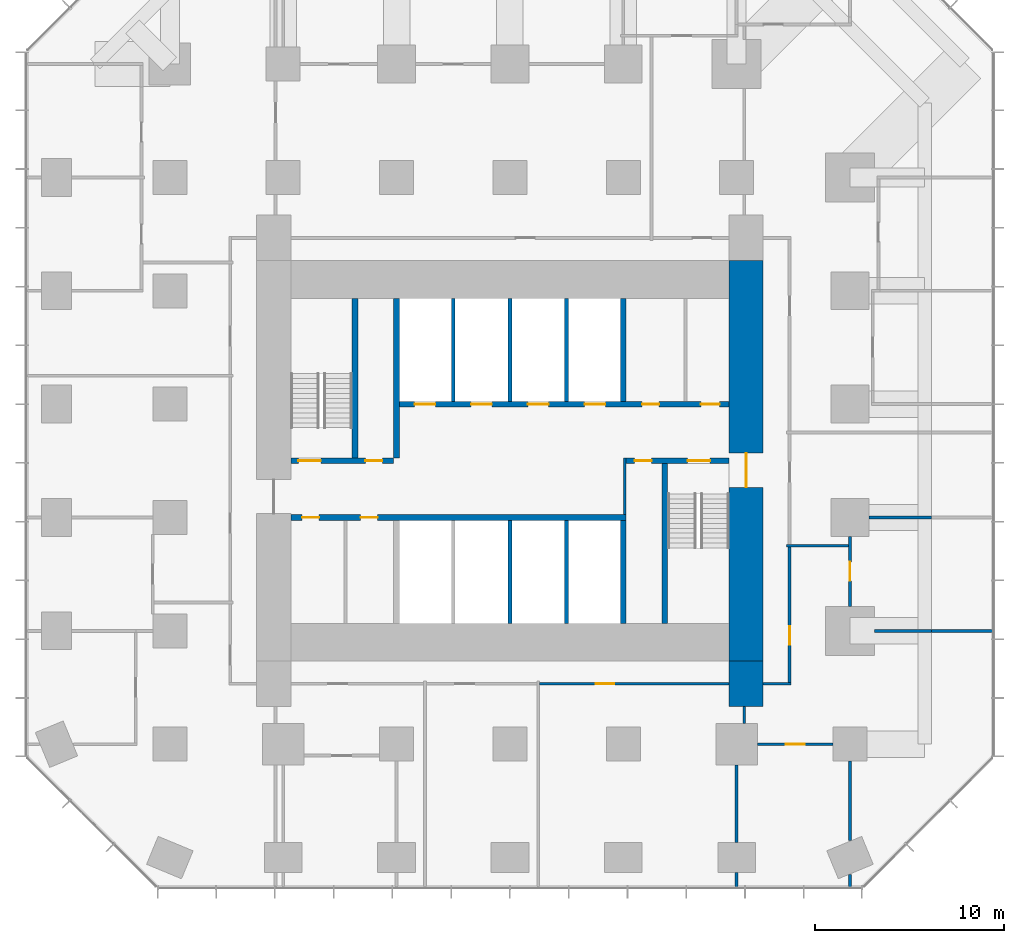
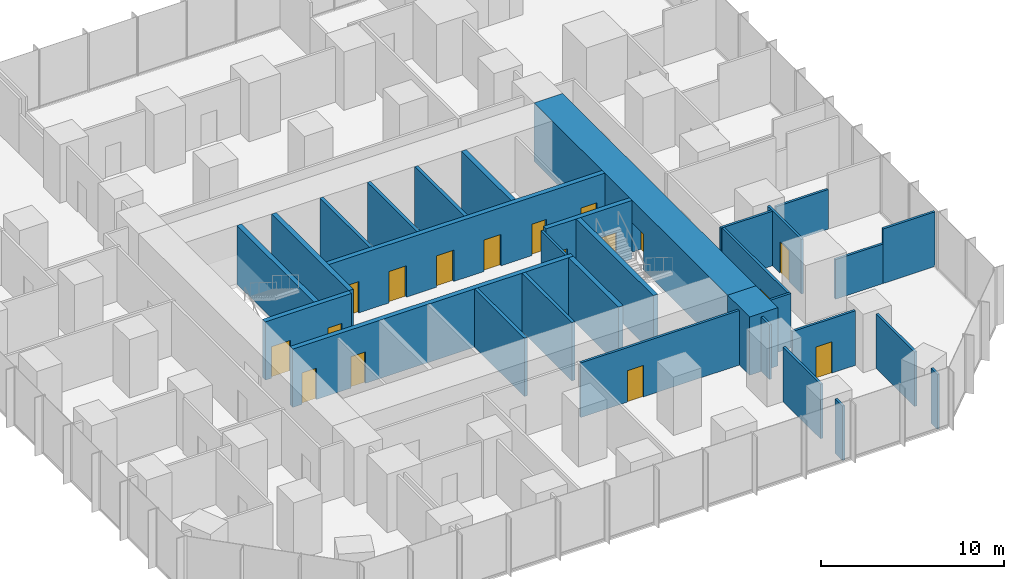
# One storey, part 9 of 12: 31 walls, 17 doors, 17 openings.
"""IFC4 building model written with IfcOpenShell, lengths in metres."""

from ifc_helpers import new_model, si_unit, direction, frame, frame_2d, origin, place, context, subcontext, project, spatial, rectangle, extrude, material, layer, layer_set, type_object, element, fill, save


model = new_model("IFC4")

# Units and contexts
model_context = context("Model", 3, precision=1e-05, world=origin(), true_north=direction((0.0, 1.0)))
body_context = subcontext(model_context, "Body", "Model", "MODEL_VIEW")
ifc_project = project(units=[si_unit("LENGTHUNIT", "METRE"), si_unit("AREAUNIT", "SQUARE_METRE"), si_unit("VOLUMEUNIT", "CUBIC_METRE"), si_unit("PLANEANGLEUNIT", "RADIAN"), si_unit("MASSUNIT", "GRAM", prefix="KILO")], contexts=[model_context])

# Site, building, storey
site_placement = place(None, origin())
site = spatial("IfcSite", under=ifc_project, at=site_placement, CompositionType="ELEMENT")
building_placement = place(site_placement, origin())
building = spatial("IfcBuilding", under=site, at=building_placement, Name="Highveld Stack Headquarters", CompositionType="ELEMENT")
storey_placement = place(building_placement, frame((0.0, 0.0, 72.800048828125)))
storey = spatial("IfcBuildingStorey", under=building, at=storey_placement, Name="L17", CompositionType="ELEMENT", Elevation=72.800048828125)

# Wall, opening, door
ifc_material_1 = material(Name="Concrete C60/75", Category="concrete")
ifc_layer_1 = layer(ifc_material_1, 1.800048828125)
ifc_layer_set_1 = layer_set([ifc_layer_1], Name="Concrete C60/75")
wall_type_1 = type_object("IfcWallType", Name="CORE WALL 1800 C60/75", PredefinedType="SHEAR", material=ifc_layer_set_1)
wall_1_placement = place(storey_placement, frame((18.5, -7.60009765625, 0.0), z_axis=(0.0, 0.0, 1.0), x_axis=(0.0, 1.0, 0.0)))
wall_1 = element("IfcWall", 1, at=wall_1_placement, inside=storey, type_object=wall_type_1, Name="Core wall E L17", PredefinedType="SHEAR", context=body_context, shape_type="SweptSolid", body=[
    extrude(rectangle(XDim=21.2001953125, YDim=1.800048828125, at=frame_2d((10.60009765625, 0.0))), origin(), (0.0, 0.0, 1.0), 3.89990234375),
])
opening_1_placement = place(wall_1_placement, frame((9.199951171875, 0.0, 0.0)))
opening_1 = element("IfcOpeningElement", 2, at=opening_1_placement, cuts=wall_1, Name="Opening L17-02", PredefinedType="OPENING", context=body_context, shape_type="SweptSolid", body=[
    extrude(rectangle(XDim=1.800048828125, YDim=2.39990234375, at=frame_2d((0.89990234375, 1.199951171875))), frame((0.0, 0.909912109375, 0.0), z_axis=(0.0, -1.0, 0.0), x_axis=(1.0, 0.0, 0.0)), (0.0, 0.0, 1.0), 1.820068359375),
])
ifc_material_2 = material(Name="Steel fire door", Category="steel")
door_type_1 = type_object("IfcDoorType", Name="LOBBY FIRE DOOR D4 1800x2400", OperationType="DOUBLE_DOOR_SINGLE_SWING", PredefinedType="DOOR", material=ifc_material_2)
door_1_placement = place(opening_1_placement, origin())
door_1 = element("IfcDoor", 3, at=door_1_placement, inside=storey, type_object=door_type_1, Name="Core east door L17", OperationType="DOUBLE_DOOR_SINGLE_SWING", OverallHeight=2.39990234375, OverallWidth=1.800048828125, PredefinedType="DOOR", context=body_context, shape_type="SweptSolid", body=[
    extrude(rectangle(XDim=1.800048828125, YDim=2.39990234375, at=frame_2d((0.89990234375, 1.199951171875))), frame((0.0, 0.02490234375, 0.0), z_axis=(0.0, -1.0, 0.0), x_axis=(1.0, 0.0, 0.0)), (0.0, 0.0, 1.0), 0.050048828125),
])
fill(opening_1, door_1)

# Wall, openings, doors
ifc_material_3 = material(Name="Concrete C60/75", Category="concrete")
ifc_layer_2 = layer(ifc_material_3, 0.300048828125)
ifc_layer_set_2 = layer_set([ifc_layer_2], Name="Concrete C60/75")
wall_type_2 = type_object("IfcWallType", Name="CORE WALL 300 C60/75", PredefinedType="SHEAR", material=ifc_layer_set_2)
wall_2_placement = place(storey_placement, frame((-5.60009765625, 0.0, 0.0), z_axis=(0.0, 0.0, 1.0), x_axis=(1.0, 0.0, 0.0)))
wall_2 = element("IfcWall", 4, at=wall_2_placement, inside=storey, type_object=wall_type_2, Name="Core wall I-Y0 L17", PredefinedType="SHEAR", context=body_context, shape_type="SweptSolid", body=[
    extrude(rectangle(XDim=17.75, YDim=0.300048828125, at=frame_2d((8.875, 0.0))), origin(), (0.0, 0.0, 1.0), 3.89990234375),
])
opening_2_placement = place(wall_2_placement, frame((0.60009765625, 0.0, 0.0)))
opening_2 = element("IfcOpeningElement", 5, at=opening_2_placement, cuts=wall_2, Name="Opening L17-07", PredefinedType="OPENING", context=body_context, shape_type="SweptSolid", body=[
    extrude(rectangle(XDim=0.89990234375, YDim=2.10009765625, at=frame_2d((0.449951171875, 1.050048828125))), frame((0.0, 0.159912109375, 0.0), z_axis=(0.0, -1.0, 0.0), x_axis=(1.0, 0.0, 0.0)), (0.0, 0.0, 1.0), 0.320068359375),
])
opening_3_placement = place(wall_2_placement, frame((3.699951171875, 0.0, 0.0)))
opening_3 = element("IfcOpeningElement", 6, at=opening_3_placement, cuts=wall_2, Name="Opening L17-08", PredefinedType="OPENING", context=body_context, shape_type="SweptSolid", body=[
    extrude(rectangle(XDim=0.89990234375, YDim=2.10009765625, at=frame_2d((0.449951171875, 1.050048828125))), frame((0.0, 0.159912109375, 0.0), z_axis=(0.0, -1.0, 0.0), x_axis=(1.0, 0.0, 0.0)), (0.0, 0.0, 1.0), 0.320068359375),
])
ifc_material_4 = material(Name="Timber door, painted", Category="wood")
door_type_2 = type_object("IfcDoorType", Name="WC DOOR D1 900x2100", OperationType="SINGLE_SWING_LEFT", PredefinedType="DOOR", material=ifc_material_4)
door_2_placement = place(opening_2_placement, origin())
door_2 = element("IfcDoor", 7, at=door_2_placement, inside=storey, type_object=door_type_2, Name="Female WC door L17", OperationType="SINGLE_SWING_LEFT", OverallHeight=2.10009765625, OverallWidth=0.89990234375, PredefinedType="DOOR", context=body_context, shape_type="SweptSolid", body=[
    extrude(rectangle(XDim=0.89990234375, YDim=2.10009765625, at=frame_2d((0.449951171875, 1.050048828125))), frame((0.0, 0.02490234375, 0.0), z_axis=(0.0, -1.0, 0.0), x_axis=(1.0, 0.0, 0.0)), (0.0, 0.0, 1.0), 0.050048828125),
])
fill(opening_2, door_2)
door_3_placement = place(opening_3_placement, origin())
door_3 = element("IfcDoor", 8, at=door_3_placement, inside=storey, type_object=door_type_2, Name="Shower and changing room door L17", OperationType="SINGLE_SWING_LEFT", OverallHeight=2.10009765625, OverallWidth=0.89990234375, PredefinedType="DOOR", context=body_context, shape_type="SweptSolid", body=[
    extrude(rectangle(XDim=0.89990234375, YDim=2.10009765625, at=frame_2d((0.449951171875, 1.050048828125))), frame((0.0, 0.02490234375, 0.0), z_axis=(0.0, -1.0, 0.0), x_axis=(1.0, 0.0, 0.0)), (0.0, 0.0, 1.0), 0.050048828125),
])
fill(opening_3, door_3)

wall_3_placement = place(storey_placement, frame((-5.60009765625, 3.0, 0.0), z_axis=(0.0, 0.0, 1.0), x_axis=(1.0, 0.0, 0.0)))
wall_3 = element("IfcWall", 9, at=wall_3_placement, inside=storey, type_object=wall_type_2, Name="Core wall I-Y3W L17", PredefinedType="SHEAR", context=body_context, shape_type="SweptSolid", body=[
    extrude(rectangle(XDim=5.4501953125, YDim=0.300048828125, at=frame_2d((2.72509765625, 0.0))), origin(), (0.0, 0.0, 1.0), 3.89990234375),
])
opening_4_placement = place(wall_3_placement, frame((0.39990234375, 0.0, 0.0)))
opening_4 = element("IfcOpeningElement", 10, at=opening_4_placement, cuts=wall_3, Name="Opening L17-03", PredefinedType="OPENING", context=body_context, shape_type="SweptSolid", body=[
    extrude(rectangle(XDim=1.199951171875, YDim=2.10009765625, at=frame_2d((0.60009765625, 1.050048828125))), frame((0.0, 0.159912109375, 0.0), z_axis=(0.0, -1.0, 0.0), x_axis=(1.0, 0.0, 0.0)), (0.0, 0.0, 1.0), 0.320068359375),
])
opening_5_placement = place(wall_3_placement, frame((3.949951171875, 0.0, 0.0)))
opening_5 = element("IfcOpeningElement", 11, at=opening_5_placement, cuts=wall_3, Name="Opening L17-04", PredefinedType="OPENING", context=body_context, shape_type="SweptSolid", body=[
    extrude(rectangle(XDim=0.89990234375, YDim=2.10009765625, at=frame_2d((0.449951171875, 1.050048828125))), frame((0.0, 0.159912109375, 0.0), z_axis=(0.0, -1.0, 0.0), x_axis=(1.0, 0.0, 0.0)), (0.0, 0.0, 1.0), 0.320068359375),
])
ifc_material_5 = material(Name="Steel fire door", Category="steel")
door_type_3 = type_object("IfcDoorType", Name="RISER ACCESS DOOR D5 900x2100", OperationType="SINGLE_SWING_LEFT", PredefinedType="DOOR", material=ifc_material_5)
door_4_placement = place(opening_5_placement, origin())
door_4 = element("IfcDoor", 12, at=door_4_placement, inside=storey, type_object=door_type_3, Name="Riser R1 door L17", OperationType="SINGLE_SWING_RIGHT", OverallHeight=2.10009765625, OverallWidth=0.89990234375, PredefinedType="DOOR", context=body_context, shape_type="SweptSolid", body=[
    extrude(rectangle(XDim=0.89990234375, YDim=2.10009765625, at=frame_2d((0.449951171875, 1.050048828125))), frame((0.0, 0.02490234375, 0.0), z_axis=(0.0, -1.0, 0.0), x_axis=(1.0, 0.0, 0.0)), (0.0, 0.0, 1.0), 0.050048828125),
])
fill(opening_5, door_4)
ifc_material_6 = material(Name="Steel fire door", Category="steel")
door_type_4 = type_object("IfcDoorType", Name="STAIR FIRE DOOR D3 1200x2100", OperationType="SINGLE_SWING_LEFT", PredefinedType="DOOR", material=ifc_material_6)
door_5_placement = place(opening_4_placement, origin())
door_5 = element("IfcDoor", 13, at=door_5_placement, inside=storey, type_object=door_type_4, Name="Stair S1 door L17", OperationType="SINGLE_SWING_LEFT", OverallHeight=2.10009765625, OverallWidth=1.199951171875, PredefinedType="DOOR", context=body_context, shape_type="SweptSolid", body=[
    extrude(rectangle(XDim=1.199951171875, YDim=2.10009765625, at=frame_2d((0.60009765625, 1.050048828125))), frame((0.0, 0.02490234375, 0.0), z_axis=(0.0, -1.0, 0.0), x_axis=(1.0, 0.0, 0.0)), (0.0, 0.0, 1.0), 0.050048828125),
])
fill(opening_4, door_5)

wall_4_placement = place(storey_placement, frame((12.14990234375, 3.0, 0.0), z_axis=(0.0, 0.0, 1.0), x_axis=(1.0, 0.0, 0.0)))
wall_4 = element("IfcWall", 14, at=wall_4_placement, inside=storey, type_object=wall_type_2, Name="Core wall I-Y3E L17", PredefinedType="SHEAR", context=body_context, shape_type="SweptSolid", body=[
    extrude(rectangle(XDim=5.4501953125, YDim=0.300048828125, at=frame_2d((2.72509765625, 0.0))), origin(), (0.0, 0.0, 1.0), 3.89990234375),
])
opening_6_placement = place(wall_4_placement, frame((3.25, 0.0, 0.0)))
opening_6 = element("IfcOpeningElement", 15, at=opening_6_placement, cuts=wall_4, Name="Opening L17-05", PredefinedType="OPENING", context=body_context, shape_type="SweptSolid", body=[
    extrude(rectangle(XDim=1.199951171875, YDim=2.10009765625, at=frame_2d((0.60009765625, 1.050048828125))), frame((0.0, 0.159912109375, 0.0), z_axis=(0.0, -1.0, 0.0), x_axis=(1.0, 0.0, 0.0)), (0.0, 0.0, 1.0), 0.320068359375),
])
opening_7_placement = place(wall_4_placement, frame((0.449951171875, 0.0, 0.0)))
opening_7 = element("IfcOpeningElement", 16, at=opening_7_placement, cuts=wall_4, Name="Opening L17-06", PredefinedType="OPENING", context=body_context, shape_type="SweptSolid", body=[
    extrude(rectangle(XDim=0.89990234375, YDim=2.10009765625, at=frame_2d((0.449951171875, 1.050048828125))), frame((0.0, 0.159912109375, 0.0), z_axis=(0.0, -1.0, 0.0), x_axis=(1.0, 0.0, 0.0)), (0.0, 0.0, 1.0), 0.320068359375),
])
door_6_placement = place(opening_7_placement, origin())
door_6 = element("IfcDoor", 17, at=door_6_placement, inside=storey, type_object=door_type_3, Name="Riser R2 door L17", OperationType="SINGLE_SWING_LEFT", OverallHeight=2.10009765625, OverallWidth=0.89990234375, PredefinedType="DOOR", context=body_context, shape_type="SweptSolid", body=[
    extrude(rectangle(XDim=0.89990234375, YDim=2.10009765625, at=frame_2d((0.449951171875, 1.050048828125))), frame((0.0, 0.02490234375, 0.0), z_axis=(0.0, -1.0, 0.0), x_axis=(1.0, 0.0, 0.0)), (0.0, 0.0, 1.0), 0.050048828125),
])
fill(opening_7, door_6)
door_7_placement = place(opening_6_placement, origin())
door_7 = element("IfcDoor", 18, at=door_7_placement, inside=storey, type_object=door_type_4, Name="Stair S2 door L17", OperationType="SINGLE_SWING_RIGHT", OverallHeight=2.10009765625, OverallWidth=1.199951171875, PredefinedType="DOOR", context=body_context, shape_type="SweptSolid", body=[
    extrude(rectangle(XDim=1.199951171875, YDim=2.10009765625, at=frame_2d((0.60009765625, 1.050048828125))), frame((0.0, 0.02490234375, 0.0), z_axis=(0.0, -1.0, 0.0), x_axis=(1.0, 0.0, 0.0)), (0.0, 0.0, 1.0), 0.050048828125),
])
fill(opening_6, door_7)

wall_5_placement = place(storey_placement, frame((-0.14990234375, 6.0, 0.0), z_axis=(0.0, 0.0, 1.0), x_axis=(1.0, 0.0, 0.0)))
wall_5 = element("IfcWall", 19, at=wall_5_placement, inside=storey, type_object=wall_type_2, Name="Core wall I-Y6 L17", PredefinedType="SHEAR", context=body_context, shape_type="SweptSolid", body=[
    extrude(rectangle(XDim=17.75, YDim=0.300048828125, at=frame_2d((8.875, 0.0))), origin(), (0.0, 0.0, 1.0), 3.89990234375),
])
opening_8_placement = place(wall_5_placement, frame((13.14990234375, 0.0, 0.0)))
opening_8 = element("IfcOpeningElement", 20, at=opening_8_placement, cuts=wall_5, Name="Opening L17-09", PredefinedType="OPENING", context=body_context, shape_type="SweptSolid", body=[
    extrude(rectangle(XDim=0.89990234375, YDim=2.10009765625, at=frame_2d((0.449951171875, 1.050048828125))), frame((0.0, 0.159912109375, 0.0), z_axis=(0.0, -1.0, 0.0), x_axis=(1.0, 0.0, 0.0)), (0.0, 0.0, 1.0), 0.320068359375),
])
opening_9_placement = place(wall_5_placement, frame((16.25, 0.0, 0.0)))
opening_9 = element("IfcOpeningElement", 21, at=opening_9_placement, cuts=wall_5, Name="Opening L17-10", PredefinedType="OPENING", context=body_context, shape_type="SweptSolid", body=[
    extrude(rectangle(XDim=1.0, YDim=2.10009765625, at=frame_2d((0.5, 1.050048828125))), frame((0.0, 0.159912109375, 0.0), z_axis=(0.0, -1.0, 0.0), x_axis=(1.0, 0.0, 0.0)), (0.0, 0.0, 1.0), 0.320068359375),
])
opening_10_placement = place(wall_5_placement, frame((1.10009765625, 0.0, 0.0)))
opening_10 = element("IfcOpeningElement", 22, at=opening_10_placement, cuts=wall_5, Name="Opening LD", PredefinedType="OPENING", context=body_context, shape_type="SweptSolid", body=[
    extrude(rectangle(XDim=1.10009765625, YDim=2.10009765625, at=frame_2d((0.550048828125, 1.050048828125))), frame((0.0, 0.159912109375, 0.0), z_axis=(0.0, -1.0, 0.0), x_axis=(1.0, 0.0, 0.0)), (0.0, 0.0, 1.0), 0.320068359375),
])
opening_11_placement = place(wall_5_placement, frame((4.10009765625, 0.0, 0.0)))
opening_11 = element("IfcOpeningElement", 23, at=opening_11_placement, cuts=wall_5, Name="Opening LD", PredefinedType="OPENING", context=body_context, shape_type="SweptSolid", body=[
    extrude(rectangle(XDim=1.10009765625, YDim=2.10009765625, at=frame_2d((0.550048828125, 1.050048828125))), frame((0.0, 0.159912109375, 0.0), z_axis=(0.0, -1.0, 0.0), x_axis=(1.0, 0.0, 0.0)), (0.0, 0.0, 1.0), 0.320068359375),
])
opening_12_placement = place(wall_5_placement, frame((7.10009765625, 0.0, 0.0)))
opening_12 = element("IfcOpeningElement", 24, at=opening_12_placement, cuts=wall_5, Name="Opening LD", PredefinedType="OPENING", context=body_context, shape_type="SweptSolid", body=[
    extrude(rectangle(XDim=1.10009765625, YDim=2.10009765625, at=frame_2d((0.550048828125, 1.050048828125))), frame((0.0, 0.159912109375, 0.0), z_axis=(0.0, -1.0, 0.0), x_axis=(1.0, 0.0, 0.0)), (0.0, 0.0, 1.0), 0.320068359375),
])
opening_13_placement = place(wall_5_placement, frame((10.10009765625, 0.0, 0.0)))
opening_13 = element("IfcOpeningElement", 25, at=opening_13_placement, cuts=wall_5, Name="Opening LD", PredefinedType="OPENING", context=body_context, shape_type="SweptSolid", body=[
    extrude(rectangle(XDim=1.10009765625, YDim=2.10009765625, at=frame_2d((0.550048828125, 1.050048828125))), frame((0.0, 0.159912109375, 0.0), z_axis=(0.0, -1.0, 0.0), x_axis=(1.0, 0.0, 0.0)), (0.0, 0.0, 1.0), 0.320068359375),
])
ifc_material_7 = material(Name="Timber door, painted", Category="wood")
door_type_5 = type_object("IfcDoorType", Name="ACCESSIBLE WC DOOR D2 1000x2100", OperationType="SINGLE_SWING_RIGHT", PredefinedType="DOOR", material=ifc_material_7)
door_8_placement = place(opening_9_placement, origin())
door_8 = element("IfcDoor", 26, at=door_8_placement, inside=storey, type_object=door_type_5, Name="Accessible WC door L17", OperationType="SINGLE_SWING_RIGHT", OverallHeight=2.10009765625, OverallWidth=1.0, PredefinedType="DOOR", context=body_context, shape_type="SweptSolid", body=[
    extrude(rectangle(XDim=1.0, YDim=2.10009765625, at=frame_2d((0.5, 1.050048828125))), frame((0.0, 0.02490234375, 0.0), z_axis=(0.0, -1.0, 0.0), x_axis=(1.0, 0.0, 0.0)), (0.0, 0.0, 1.0), 0.050048828125),
])
fill(opening_9, door_8)
ifc_material_8 = material(Name="Stainless steel lift landing door", Category="steel")
door_type_6 = type_object("IfcDoorType", Name="LIFT LANDING DOOR LD 1100x2100", OperationType="DOUBLE_DOOR_SLIDING", PredefinedType="USERDEFINED", material=ifc_material_8)
door_9_placement = place(opening_10_placement, origin())
door_9 = element("IfcDoor", 27, at=door_9_placement, inside=storey, type_object=door_type_6, Name="Lift landing door FF1 L17", ObjectType="LIFT LANDING DOOR", OperationType="DOUBLE_DOOR_SLIDING", OverallHeight=2.10009765625, OverallWidth=1.10009765625, PredefinedType="USERDEFINED", context=body_context, shape_type="SweptSolid", body=[
    extrude(rectangle(XDim=1.10009765625, YDim=2.10009765625, at=frame_2d((0.550048828125, 1.050048828125))), frame((0.0, 0.02490234375, 0.0), z_axis=(0.0, -1.0, 0.0), x_axis=(1.0, 0.0, 0.0)), (0.0, 0.0, 1.0), 0.050048828125),
])
fill(opening_10, door_9)
door_10_placement = place(opening_11_placement, origin())
door_10 = element("IfcDoor", 28, at=door_10_placement, inside=storey, type_object=door_type_6, Name="Lift landing door FF2 L17", ObjectType="LIFT LANDING DOOR", OperationType="DOUBLE_DOOR_SLIDING", OverallHeight=2.10009765625, OverallWidth=1.10009765625, PredefinedType="USERDEFINED", context=body_context, shape_type="SweptSolid", body=[
    extrude(rectangle(XDim=1.10009765625, YDim=2.10009765625, at=frame_2d((0.550048828125, 1.050048828125))), frame((0.0, 0.02490234375, 0.0), z_axis=(0.0, -1.0, 0.0), x_axis=(1.0, 0.0, 0.0)), (0.0, 0.0, 1.0), 0.050048828125),
])
fill(opening_11, door_10)
door_11_placement = place(opening_12_placement, origin())
door_11 = element("IfcDoor", 29, at=door_11_placement, inside=storey, type_object=door_type_6, Name="Lift landing door A1 L17", ObjectType="LIFT LANDING DOOR", OperationType="DOUBLE_DOOR_SLIDING", OverallHeight=2.10009765625, OverallWidth=1.10009765625, PredefinedType="USERDEFINED", context=body_context, shape_type="SweptSolid", body=[
    extrude(rectangle(XDim=1.10009765625, YDim=2.10009765625, at=frame_2d((0.550048828125, 1.050048828125))), frame((0.0, 0.02490234375, 0.0), z_axis=(0.0, -1.0, 0.0), x_axis=(1.0, 0.0, 0.0)), (0.0, 0.0, 1.0), 0.050048828125),
])
fill(opening_12, door_11)
door_12_placement = place(opening_13_placement, origin())
door_12 = element("IfcDoor", 30, at=door_12_placement, inside=storey, type_object=door_type_6, Name="Lift landing door A2 L17", ObjectType="LIFT LANDING DOOR", OperationType="DOUBLE_DOOR_SLIDING", OverallHeight=2.10009765625, OverallWidth=1.10009765625, PredefinedType="USERDEFINED", context=body_context, shape_type="SweptSolid", body=[
    extrude(rectangle(XDim=1.10009765625, YDim=2.10009765625, at=frame_2d((0.550048828125, 1.050048828125))), frame((0.0, 0.02490234375, 0.0), z_axis=(0.0, -1.0, 0.0), x_axis=(1.0, 0.0, 0.0)), (0.0, 0.0, 1.0), 0.050048828125),
])
fill(opening_13, door_12)
door_13_placement = place(opening_8_placement, origin())
door_13 = element("IfcDoor", 31, at=door_13_placement, inside=storey, type_object=door_type_2, Name="Male WC door L17", OperationType="SINGLE_SWING_RIGHT", OverallHeight=2.10009765625, OverallWidth=0.89990234375, PredefinedType="DOOR", context=body_context, shape_type="SweptSolid", body=[
    extrude(rectangle(XDim=0.89990234375, YDim=2.10009765625, at=frame_2d((0.449951171875, 1.050048828125))), frame((0.0, 0.02490234375, 0.0), z_axis=(0.0, -1.0, 0.0), x_axis=(1.0, 0.0, 0.0)), (0.0, 0.0, 1.0), 0.050048828125),
])
fill(opening_8, door_13)

# Walls
wall_6_placement = place(storey_placement, frame((0.0, 3.14990234375, 0.0), z_axis=(0.0, 0.0, 1.0), x_axis=(0.0, 1.0, 0.0)))
element("IfcWall", 32, at=wall_6_placement, inside=storey, type_object=wall_type_2, Name="Core wall I-X0N L17", PredefinedType="SHEAR", context=body_context, shape_type="SweptSolid", body=[
    extrude(rectangle(XDim=8.4501953125, YDim=0.300048828125, at=frame_2d((4.22509765625, 0.0))), origin(), (0.0, 0.0, 1.0), 3.89990234375),
])
for number, where, z_axis, x_axis, name in (
    (33, (12.0, -5.60009765625, 0.0), (0.0, 0.0, 1.0), (0.0, 1.0, 0.0), "Core wall I-X12S L17"),
    (34, (12.0, 6.14990234375, 0.0), (0.0, 0.0, 1.0), (0.0, 1.0, 0.0), "Core wall I-X12N L17"),
):
    element("IfcWall", number, at=place(storey_placement, frame(where, z_axis=z_axis, x_axis=x_axis)), inside=storey, type_object=wall_type_2, Name=name, PredefinedType="SHEAR", context=body_context, shape_type="SweptSolid", body=[
        extrude(rectangle(XDim=5.4501953125, YDim=0.300048828125, at=frame_2d((2.72509765625, 0.0))), origin(), (0.0, 0.0, 1.0), 3.89990234375),
    ])
for number, where, z_axis, x_axis, name in (
    (35, (-2.199951171875, 3.14990234375, 0.0), (0.0, 0.0, 1.0), (0.0, 1.0, 0.0), "Core wall I-RW L17"),
    (36, (14.199951171875, -5.60009765625, 0.0), (0.0, 0.0, 1.0), (0.0, 1.0, 0.0), "Core wall I-RE L17"),
):
    element("IfcWall", number, at=place(storey_placement, frame(where, z_axis=z_axis, x_axis=x_axis)), inside=storey, type_object=wall_type_2, Name=name, PredefinedType="SHEAR", context=body_context, shape_type="SweptSolid", body=[
        extrude(rectangle(XDim=8.4501953125, YDim=0.300048828125, at=frame_2d((4.22509765625, 0.0))), origin(), (0.0, 0.0, 1.0), 3.89990234375),
    ])
ifc_material_9 = material(Name="Concrete C60/75", Category="concrete")
ifc_layer_3 = layer(ifc_material_9, 1.800048828125)
ifc_layer_set_3 = layer_set([ifc_layer_3], Name="Concrete C60/75")
wall_type_3 = type_object("IfcWallType", Name="CORE WING WALL 1800 C60/75", PredefinedType="SHEAR", material=ifc_layer_set_3)
wall_7_placement = place(storey_placement, frame((18.5, -10.0, 0.0), z_axis=(0.0, 0.0, 1.0), x_axis=(0.0, 1.0, 0.0)))
element("IfcWall", 37, at=wall_7_placement, inside=storey, type_object=wall_type_3, Name="Core wing wall ES L17", PredefinedType="SHEAR", context=body_context, shape_type="SweptSolid", body=[
    extrude(rectangle(XDim=2.39990234375, YDim=1.800048828125, at=frame_2d((1.199951171875, 0.0))), origin(), (0.0, 0.0, 1.0), 3.89990234375),
])
ifc_material_10 = material(Name="Concrete blockwork, plastered", Category="masonry")
ifc_layer_4 = layer(ifc_material_10, 0.14990234375)
ifc_layer_set_4 = layer_set([ifc_layer_4], Name="Concrete blockwork, plastered")
wall_type_4 = type_object("IfcWallType", Name="FIRE PARTITION 150 BLOCKWORK", PredefinedType="PARTITIONING", material=ifc_layer_set_4)
wall_8_placement = place(storey_placement, frame((12.074951171875, 0.14990234375, 0.0), z_axis=(0.0, 0.0, 1.0), x_axis=(0.0, 1.0, 0.0)))
element("IfcWall", 38, at=wall_8_placement, inside=storey, type_object=wall_type_4, Name="Riser R2 enclosure L17", PredefinedType="PARTITIONING", context=body_context, shape_type="SweptSolid", body=[
    extrude(rectangle(XDim=3.0, YDim=0.14990234375, at=frame_2d((1.5, 0.0))), origin(), (0.0, 0.0, 1.0), 3.64990234375),
])

# Wall, opening, door
ifc_material_11 = material(Name="Laminated glass in aluminium frame", Category="aluminium")
ifc_layer_5 = layer(ifc_material_11, 0.14990234375)
ifc_layer_set_5 = layer_set([ifc_layer_5], Name="Laminated glass in aluminium frame")
wall_type_5 = type_object("IfcWallType", Name="GLAZED PARTITION 150", PredefinedType="PARTITIONING", material=ifc_layer_set_5)
wall_9_placement = place(storey_placement, frame((19.10009765625, -12.0, 0.0), z_axis=(0.0, 0.0, 1.0), x_axis=(1.0, 0.0, 0.0)))
wall_9 = element("IfcWall", 39, at=wall_9_placement, inside=storey, type_object=wall_type_5, Name="Glazed partition Meeting room L17", PredefinedType="PARTITIONING", context=body_context, shape_type="SweptSolid", body=[
    extrude(rectangle(XDim=4.0, YDim=0.14990234375, at=frame_2d((2.0, 0.0))), origin(), (0.0, 0.0, 1.0), 3.64990234375),
])
opening_14_placement = place(wall_9_placement, frame((1.5, 0.0, 0.0)))
opening_14 = element("IfcOpeningElement", 40, at=opening_14_placement, cuts=wall_9, Name="Opening L17-12", PredefinedType="OPENING", context=body_context, shape_type="SweptSolid", body=[
    extrude(rectangle(XDim=1.0, YDim=2.10009765625, at=frame_2d((0.5, 1.050048828125))), frame((0.0, 0.0849609375, 0.0), z_axis=(0.0, -1.0, 0.0), x_axis=(1.0, 0.0, 0.0)), (0.0, 0.0, 1.0), 0.169921875),
])
ifc_material_12 = material(Name="Timber door, oiled ash", Category="wood")
door_type_7 = type_object("IfcDoorType", Name="ROOM DOOR D6 1000x2100", OperationType="SINGLE_SWING_LEFT", PredefinedType="DOOR", material=ifc_material_12)
door_14_placement = place(opening_14_placement, origin())
door_14 = element("IfcDoor", 41, at=door_14_placement, inside=storey, type_object=door_type_7, Name="Meeting room door 1 L17", OperationType="SINGLE_SWING_RIGHT", OverallHeight=2.10009765625, OverallWidth=1.0, PredefinedType="DOOR", context=body_context, shape_type="SweptSolid", body=[
    extrude(rectangle(XDim=1.0, YDim=2.10009765625, at=frame_2d((0.5, 1.050048828125))), frame((0.0, 0.02490234375, 0.0), z_axis=(0.0, -1.0, 0.0), x_axis=(1.0, 0.0, 0.0)), (0.0, 0.0, 1.0), 0.050048828125),
])
fill(opening_14, door_14)

wall_10_placement = place(storey_placement, frame((24.0, -4.699951171875, 0.0), z_axis=(0.0, 0.0, 1.0), x_axis=(0.0, 1.0, 0.0)))
wall_10 = element("IfcWall", 42, at=wall_10_placement, inside=storey, type_object=wall_type_5, Name="Glazed partition Meeting room L17", PredefinedType="PARTITIONING", context=body_context, shape_type="SweptSolid", body=[
    extrude(rectangle(XDim=3.699951171875, YDim=0.14990234375, at=frame_2d((1.85009765625, 0.0))), origin(), (0.0, 0.0, 1.0), 3.64990234375),
])
opening_15_placement = place(wall_10_placement, frame((1.35009765625, 0.0, 0.0)))
opening_15 = element("IfcOpeningElement", 43, at=opening_15_placement, cuts=wall_10, Name="Opening L17-17", PredefinedType="OPENING", context=body_context, shape_type="SweptSolid", body=[
    extrude(rectangle(XDim=1.0, YDim=2.10009765625, at=frame_2d((0.5, 1.050048828125))), frame((0.0, 0.0849609375, 0.0), z_axis=(0.0, -1.0, 0.0), x_axis=(1.0, 0.0, 0.0)), (0.0, 0.0, 1.0), 0.169921875),
])
door_15_placement = place(opening_15_placement, origin())
door_15 = element("IfcDoor", 44, at=door_15_placement, inside=storey, type_object=door_type_7, Name="Meeting room door 1 L17", OperationType="SINGLE_SWING_RIGHT", OverallHeight=2.10009765625, OverallWidth=1.0, PredefinedType="DOOR", context=body_context, shape_type="SweptSolid", body=[
    extrude(rectangle(XDim=1.0, YDim=2.10009765625, at=frame_2d((0.5, 1.050048828125))), frame((0.0, 0.02490234375, 0.0), z_axis=(0.0, -1.0, 0.0), x_axis=(1.0, 0.0, 0.0)), (0.0, 0.0, 1.0), 0.050048828125),
])
fill(opening_15, door_15)

# Walls
ifc_material_13 = material(Name="Concrete blockwork, fair-faced", Category="masonry")
ifc_layer_6 = layer(ifc_material_13, 0.199951171875)
ifc_layer_set_6 = layer_set([ifc_layer_6], Name="Concrete blockwork, fair-faced")
wall_type_6 = type_object("IfcWallType", Name="LIFT SHAFT ENCLOSURE WALL 200 BLOCKWORK", PredefinedType="SOLIDWALL", material=ifc_layer_set_6)
for number, where, z_axis, x_axis, name in (
    (45, (3.0, 6.14990234375, 0.0), (0.0, 0.0, 1.0), (0.0, 1.0, 0.0), "Lift shaft wall L17"),
    (46, (6.0, 6.14990234375, 0.0), (0.0, 0.0, 1.0), (0.0, 1.0, 0.0), "Lift shaft wall L17"),
    (47, (9.0, 6.14990234375, 0.0), (0.0, 0.0, 1.0), (0.0, 1.0, 0.0), "Lift shaft wall L17"),
    (48, (6.0, -5.60009765625, 0.0), (0.0, 0.0, 1.0), (0.0, 1.0, 0.0), "Lift shaft wall L17"),
    (49, (9.0, -5.60009765625, 0.0), (0.0, 0.0, 1.0), (0.0, 1.0, 0.0), "Lift shaft wall L17"),
):
    element("IfcWall", number, at=place(storey_placement, frame(where, z_axis=z_axis, x_axis=x_axis)), inside=storey, type_object=wall_type_6, Name=name, PredefinedType="SOLIDWALL", context=body_context, shape_type="SweptSolid", body=[
        extrude(rectangle(XDim=5.4501953125, YDim=0.199951171875, at=frame_2d((2.72509765625, 0.0))), origin(), (0.0, 0.0, 1.0), 3.89990234375),
    ])
ifc_material_14 = material(Name="Gypsum plasterboard on steel studs", Category="steel")
ifc_layer_7 = layer(ifc_material_14, 0.14990234375)
ifc_layer_set_7 = layer_set([ifc_layer_7], Name="Gypsum plasterboard on steel studs")
wall_type_7 = type_object("IfcWallType", Name="PARTITION 150 PLASTERBOARD", PredefinedType="PARTITIONING", material=ifc_layer_set_7)
wall_11_placement = place(storey_placement, frame((25.300048828125, -6.0, 0.0), z_axis=(0.0, 0.0, 1.0), x_axis=(1.0, 0.0, 0.0)))
element("IfcWall", 50, at=wall_11_placement, inside=storey, type_object=wall_type_7, Name="Partition Meeting room L17", PredefinedType="PARTITIONING", context=body_context, shape_type="SweptSolid", body=[
    extrude(rectangle(XDim=3.010009765625, YDim=0.14990234375, at=frame_2d((1.5048828125, 0.0))), origin(), (0.0, 0.0, 1.0), 2.64990234375),
])
wall_12_placement = place(storey_placement, frame((28.31005859375, -6.0, 0.0), z_axis=(0.0, 0.0, 1.0), x_axis=(1.0, 0.0, 0.0)))
element("IfcWall", 51, at=wall_12_placement, inside=storey, type_object=wall_type_7, Name="Partition Meeting room L17", PredefinedType="PARTITIONING", context=body_context, shape_type="SweptSolid", body=[
    extrude(rectangle(XDim=3.2900390625, YDim=0.14990234375, at=frame_2d((1.64501953125, 0.0))), origin(), (0.0, 0.0, 1.0), 3.64990234375),
])
wall_13_placement = place(storey_placement, frame((25.0, 0.0, 0.0), z_axis=(0.0, 0.0, 1.0), x_axis=(1.0, 0.0, 0.0)))
element("IfcWall", 52, at=wall_13_placement, inside=storey, type_object=wall_type_7, Name="Partition Meeting room L17", PredefinedType="PARTITIONING", context=body_context, shape_type="SweptSolid", body=[
    extrude(rectangle(XDim=3.31005859375, YDim=0.14990234375, at=frame_2d((1.655029296875, 0.0))), origin(), (0.0, 0.0, 1.0), 2.64990234375),
])
wall_14_placement = place(storey_placement, frame((18.0, -19.60009765625, 0.0), z_axis=(0.0, 0.0, 1.0), x_axis=(0.0, 1.0, 0.0)))
element("IfcWall", 53, at=wall_14_placement, inside=storey, type_object=wall_type_7, Name="Partition Meeting room L17", PredefinedType="PARTITIONING", context=body_context, shape_type="SweptSolid", body=[
    extrude(rectangle(XDim=0.800048828125, YDim=0.14990234375, at=frame_2d((0.39990234375, 0.0))), origin(), (0.0, 0.0, 1.0), 3.64990234375),
])
wall_15_placement = place(storey_placement, frame((18.0, -17.199951171875, 0.0), z_axis=(0.0, 0.0, 1.0), x_axis=(0.0, 1.0, 0.0)))
element("IfcWall", 54, at=wall_15_placement, inside=storey, type_object=wall_type_7, Name="Partition Meeting room L17", PredefinedType="PARTITIONING", context=body_context, shape_type="SweptSolid", body=[
    extrude(rectangle(XDim=4.099853515625, YDim=0.14990234375, at=frame_2d((2.0498046875, 0.0))), origin(), (0.0, 0.0, 1.0), 3.64990234375),
])
wall_16_placement = place(storey_placement, frame((24.0, -19.60009765625, 0.0), z_axis=(0.0, 0.0, 1.0), x_axis=(0.0, 1.0, 0.0)))
element("IfcWall", 55, at=wall_16_placement, inside=storey, type_object=wall_type_7, Name="Partition Meeting room L17", PredefinedType="PARTITIONING", context=body_context, shape_type="SweptSolid", body=[
    extrude(rectangle(XDim=0.703125, YDim=0.14990234375, at=frame_2d((0.3515625, 0.0))), origin(), (0.0, 0.0, 1.0), 3.64990234375),
])
wall_17_placement = place(storey_placement, frame((24.0, -17.10302734375, 0.0), z_axis=(0.0, 0.0, 1.0), x_axis=(0.0, 1.0, 0.0)))
element("IfcWall", 56, at=wall_17_placement, inside=storey, type_object=wall_type_7, Name="Partition Meeting room L17", PredefinedType="PARTITIONING", context=body_context, shape_type="SweptSolid", body=[
    extrude(rectangle(XDim=4.203125, YDim=0.14990234375, at=frame_2d((2.1015625, 0.0))), origin(), (0.0, 0.0, 1.0), 3.64990234375),
])

# Wall, opening, door
wall_18_placement = place(storey_placement, frame((7.574951171875, -8.800048828125, 0.0), z_axis=(0.0, 0.0, 1.0), x_axis=(1.0, 0.0, 0.0)))
wall_18 = element("IfcWall", 57, at=wall_18_placement, inside=storey, type_object=wall_type_7, Name="Partition office neighbourhood L17", PredefinedType="PARTITIONING", context=body_context, shape_type="SweptSolid", body=[
    extrude(rectangle(XDim=10.025146484375, YDim=0.14990234375, at=frame_2d((5.0126953125, 0.0))), origin(), (0.0, 0.0, 1.0), 3.64990234375),
])
opening_16_placement = place(wall_18_placement, frame((2.9599609375, 0.0, 0.0)))
opening_16 = element("IfcOpeningElement", 58, at=opening_16_placement, cuts=wall_18, Name="Opening L17-25", PredefinedType="OPENING", context=body_context, shape_type="SweptSolid", body=[
    extrude(rectangle(XDim=1.0, YDim=2.10009765625, at=frame_2d((0.5, 1.050048828125))), frame((0.0, 0.0849609375, 0.0), z_axis=(0.0, -1.0, 0.0), x_axis=(1.0, 0.0, 0.0)), (0.0, 0.0, 1.0), 0.169921875),
])
door_16_placement = place(opening_16_placement, origin())
door_16 = element("IfcDoor", 59, at=door_16_placement, inside=storey, type_object=door_type_7, Name="Office neighbourhood door L17", OperationType="SINGLE_SWING_LEFT", OverallHeight=2.10009765625, OverallWidth=1.0, PredefinedType="DOOR", context=body_context, shape_type="SweptSolid", body=[
    extrude(rectangle(XDim=1.0, YDim=2.10009765625, at=frame_2d((0.5, 1.050048828125))), frame((0.0, 0.02490234375, 0.0), z_axis=(0.0, -1.0, 0.0), x_axis=(1.0, 0.0, 0.0)), (0.0, 0.0, 1.0), 0.050048828125),
])
fill(opening_16, door_16)

# Walls
wall_19_placement = place(storey_placement, frame((18.39990234375, -10.89990234375, 0.0), z_axis=(0.0, 0.0, 1.0), x_axis=(0.0, 1.0, 0.0)))
element("IfcWall", 60, at=wall_19_placement, inside=storey, type_object=wall_type_7, Name="Partition office neighbourhood L17", PredefinedType="PARTITIONING", context=body_context, shape_type="SweptSolid", body=[
    extrude(rectangle(XDim=0.89990234375, YDim=0.14990234375, at=frame_2d((0.449951171875, 0.0))), origin(), (0.0, 0.0, 1.0), 3.64990234375),
])
wall_20_placement = place(storey_placement, frame((19.39990234375, -8.800048828125, 0.0), z_axis=(0.0, 0.0, 1.0), x_axis=(1.0, 0.0, 0.0)))
element("IfcWall", 61, at=wall_20_placement, inside=storey, type_object=wall_type_7, Name="Partition office neighbourhood L17", PredefinedType="PARTITIONING", context=body_context, shape_type="SweptSolid", body=[
    extrude(rectangle(XDim=1.47509765625, YDim=0.14990234375, at=frame_2d((0.737548828125, 0.0))), origin(), (0.0, 0.0, 1.0), 3.64990234375),
])

# Wall, opening, door
wall_21_placement = place(storey_placement, frame((20.800048828125, -8.72509765625, 0.0), z_axis=(0.0, 0.0, 1.0), x_axis=(0.0, 1.0, 0.0)))
wall_21 = element("IfcWall", 62, at=wall_21_placement, inside=storey, type_object=wall_type_7, Name="Partition office neighbourhood L17", PredefinedType="PARTITIONING", context=body_context, shape_type="SweptSolid", body=[
    extrude(rectangle(XDim=7.150146484375, YDim=0.14990234375, at=frame_2d((3.5751953125, 0.0))), origin(), (0.0, 0.0, 1.0), 3.64990234375),
])
opening_17_placement = place(wall_21_placement, frame((1.97998046875, 0.0, 0.0)))
opening_17 = element("IfcOpeningElement", 63, at=opening_17_placement, cuts=wall_21, Name="Opening L17-28", PredefinedType="OPENING", context=body_context, shape_type="SweptSolid", body=[
    extrude(rectangle(XDim=1.0, YDim=2.10009765625, at=frame_2d((0.5, 1.050048828125))), frame((0.0, 0.0849609375, 0.0), z_axis=(0.0, -1.0, 0.0), x_axis=(1.0, 0.0, 0.0)), (0.0, 0.0, 1.0), 0.169921875),
])
door_17_placement = place(opening_17_placement, origin())
door_17 = element("IfcDoor", 64, at=door_17_placement, inside=storey, type_object=door_type_7, Name="Office neighbourhood door L17", OperationType="SINGLE_SWING_LEFT", OverallHeight=2.10009765625, OverallWidth=1.0, PredefinedType="DOOR", context=body_context, shape_type="SweptSolid", body=[
    extrude(rectangle(XDim=1.0, YDim=2.10009765625, at=frame_2d((0.5, 1.050048828125))), frame((0.0, 0.02490234375, 0.0), z_axis=(0.0, -1.0, 0.0), x_axis=(1.0, 0.0, 0.0)), (0.0, 0.0, 1.0), 0.050048828125),
])
fill(opening_17, door_17)

# Wall
wall_22_placement = place(storey_placement, frame((20.64990234375, -1.5, 0.0), z_axis=(0.0, 0.0, 1.0), x_axis=(1.0, 0.0, 0.0)))
element("IfcWall", 65, at=wall_22_placement, inside=storey, type_object=wall_type_7, Name="Partition office neighbourhood L17", PredefinedType="PARTITIONING", context=body_context, shape_type="SweptSolid", body=[
    extrude(rectangle(XDim=3.275146484375, YDim=0.14990234375, at=frame_2d((1.6376953125, 0.0))), origin(), (0.0, 0.0, 1.0), 3.64990234375),
])

save(model, "model.ifc")
